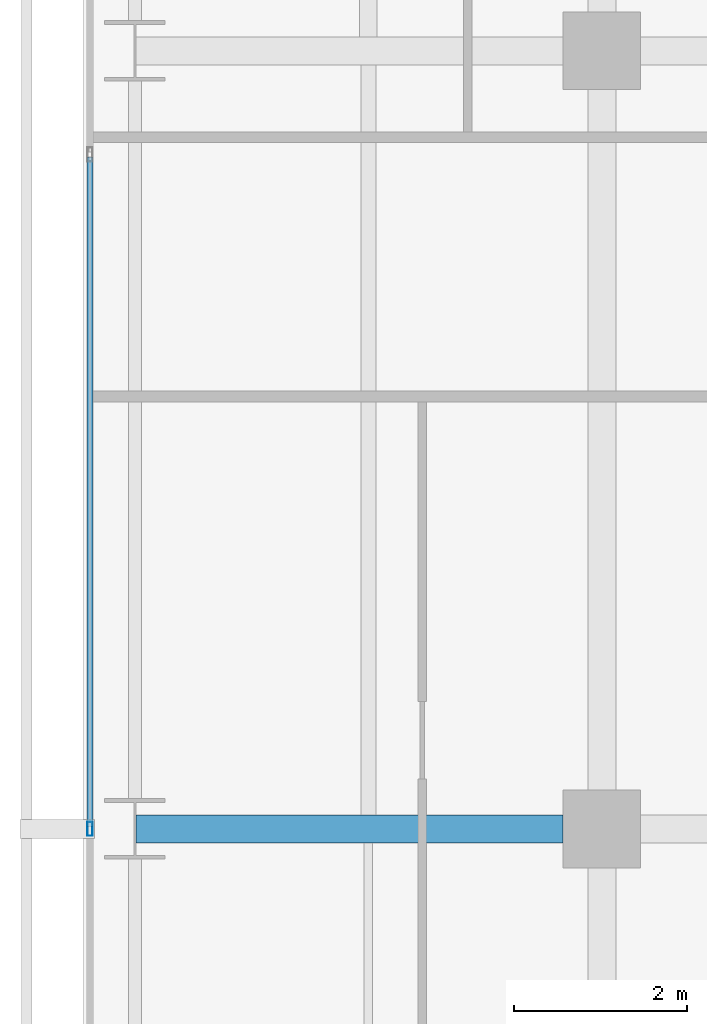
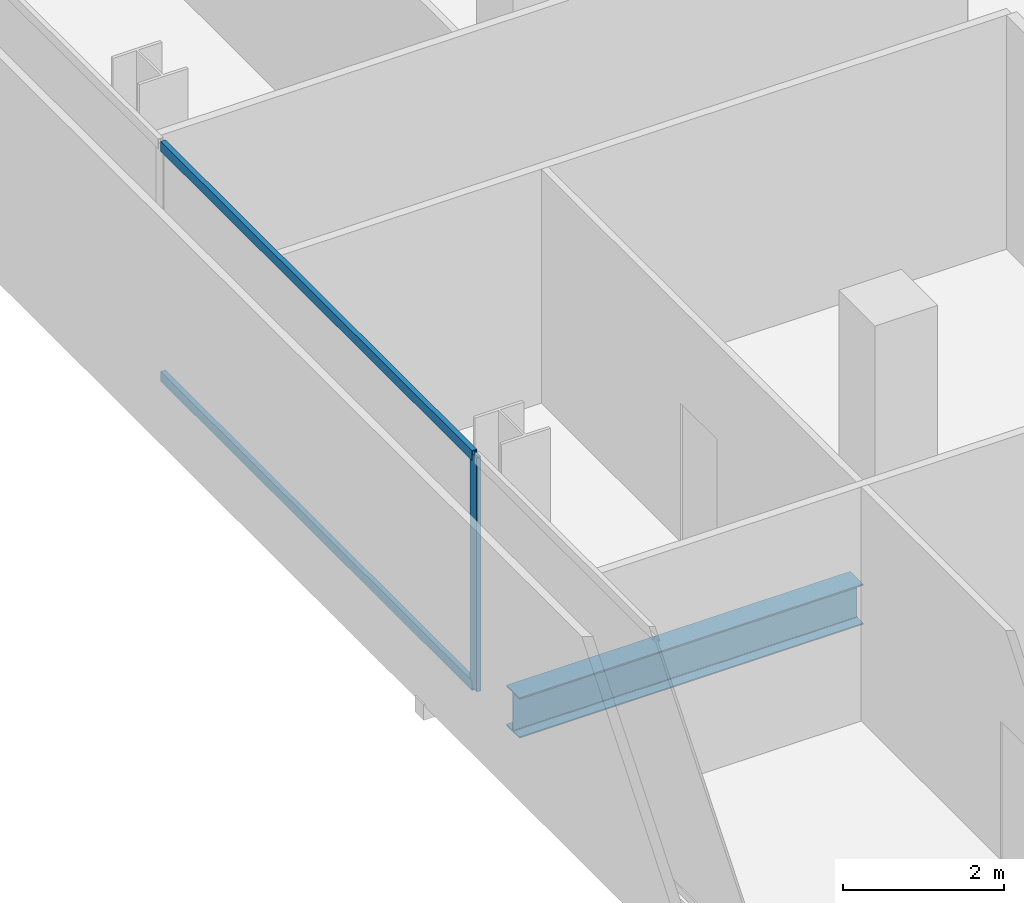
# One storey, part 12 of 39: 3 members, 1 beam, 1 element without a shape of its own.
"""IFC4 building model written with IfcOpenShell, lengths in metres."""

from ifc_helpers import new_model, si_unit, direction, frame, origin, origin_2d, place, context, subcontext, project, spatial, hollow_rectangle, i_section, extrude, material, layer, layer_set, material_profile, profile_set, type_object, element, aggregate, save


model = new_model("IFC4")

# Units and contexts
model_context = context("Model", 3, precision=1e-05, world=origin(), true_north=direction((0.0, 1.0)))
body_context = subcontext(model_context, "Body", "Model", "MODEL_VIEW")
ifc_project = project(units=[si_unit("LENGTHUNIT", "METRE"), si_unit("AREAUNIT", "SQUARE_METRE"), si_unit("VOLUMEUNIT", "CUBIC_METRE"), si_unit("PLANEANGLEUNIT", "RADIAN"), si_unit("MASSUNIT", "GRAM", prefix="KILO")], contexts=[model_context])

# Site, building, storey
site_placement = place(None, origin())
site = spatial("IfcSite", under=ifc_project, at=site_placement, CompositionType="ELEMENT")
building_placement = place(site_placement, origin())
building = spatial("IfcBuilding", under=site, at=building_placement, Name="Maruvema Waterfront Hotel and Observation Tower", CompositionType="ELEMENT")
storey_placement = place(building_placement, frame((0.0, 0.0, 111.64990234375)))
storey = spatial("IfcBuildingStorey", under=building, at=storey_placement, Name="L27", CompositionType="ELEMENT", Elevation=111.64990234375)

# Curtain wall, members
ifc_material_1 = material(Name="Anodised bronze aluminium and solar-control low-E IGU", Category="aluminium")
ifc_layer = layer(ifc_material_1, 0.159912109375, Name="Zone 1 Bronze Inner Thermal Curtain Wall System CW-02")
ifc_layer_set = layer_set([ifc_layer], Name="Anodised bronze aluminium and solar-control low-E IGU")
curtain_wall_type = type_object("IfcCurtainWallType", Name="Zone 1 Bronze Inner Thermal Curtain Wall System CW-02", PredefinedType="USERDEFINED", material=ifc_layer_set)
curtain_wall_placement = place(storey_placement, origin())
curtain_wall = element("IfcCurtainWall", 1, at=curtain_wall_placement, inside=storey, type_object=curtain_wall_type, Name="L27 Curtain Wall CW-L27-W", ObjectType="UNITISED CURTAIN WALL", PredefinedType="USERDEFINED")
ifc_material_2 = material(Name="Anodised architectural bronze aluminium", Category="aluminium")
ifc_material_profile_1 = material_profile(ifc_material_2, hollow_rectangle(XDim=0.070068359375, YDim=0.14990234375, WallThickness=0.00390625, at=origin_2d()), Name="ALU-T70x150")
ifc_profile_set_1 = profile_set([ifc_material_profile_1], Name="Anodised architectural bronze aluminium")
member_type_1 = type_object("IfcMemberType", Name="Curtain Wall Horizontal Transom ALU-T70x150", PredefinedType="USERDEFINED", material=ifc_profile_set_1)
member_1_placement = place(storey_placement, frame((10.8798828125, 34.77001953125, 0.030029296875), z_axis=(0.0, -1.0, 0.0), x_axis=(1.0, 0.0, 0.0)))
member_1 = element("IfcMember", 2, at=member_1_placement, type_object=member_type_1, Name="CW-02 transom 3.1", ObjectType="TRANSOM", PredefinedType="USERDEFINED", context=body_context, shape_type="SweptSolid", body=[
    extrude(hollow_rectangle(XDim=0.070068359375, YDim=0.14990234375, WallThickness=0.00390625, at=origin_2d()), origin(), (0.0, 0.0, 1.0), 7.739990234375),
])
member_2_placement = place(storey_placement, frame((10.8798828125, 34.77001953125, 3.52001953125), z_axis=(0.0, -1.0, 0.0), x_axis=(1.0, 0.0, 0.0)))
member_2 = element("IfcMember", 3, at=member_2_placement, type_object=member_type_1, Name="CW-02 transom 3.2", ObjectType="TRANSOM", PredefinedType="USERDEFINED", context=body_context, shape_type="SweptSolid", body=[
    extrude(hollow_rectangle(XDim=0.070068359375, YDim=0.14990234375, WallThickness=0.00390625, at=origin_2d()), origin(), (0.0, 0.0, 1.0), 7.739990234375),
])
ifc_material_3 = material(Name="Anodised architectural bronze aluminium", Category="aluminium")
ifc_material_profile_2 = material_profile(ifc_material_3, hollow_rectangle(XDim=0.06494140625, YDim=0.1650390625, WallThickness=0.00390625, at=origin_2d()), Name="ALU-M65x165")
ifc_profile_set_2 = profile_set([ifc_material_profile_2], Name="Anodised architectural bronze aluminium")
member_type_2 = type_object("IfcMemberType", Name="Curtain Wall Primary Mullion ALU-M65x165", PredefinedType="MULLION", material=ifc_profile_set_2)
member_3_placement = place(storey_placement, frame((10.8798828125, 27.0, 0.0), z_axis=(0.0, 0.0, 1.0), x_axis=(1.0, 0.0, 0.0)))
member_3 = element("IfcMember", 4, at=member_3_placement, type_object=member_type_2, Name="CW-02 mullion 4", PredefinedType="MULLION", context=body_context, shape_type="SweptSolid", body=[
    extrude(hollow_rectangle(XDim=0.06494140625, YDim=0.1650390625, WallThickness=0.00390625, at=origin_2d()), origin(), (0.0, 0.0, 1.0), 3.550048828125),
])
aggregate(curtain_wall, [member_3, member_1, member_2])

# Beam
ifc_material_4 = material(Name="Steel ASTM A572 Grade 50", Category="steel")
ifc_material_profile_3 = material_profile(ifc_material_4, i_section(OverallWidth=0.323974609375, OverallDepth=0.611083984375, WebThickness=0.0126953125, FlangeThickness=0.01904296875, FilletRadius=0.01806640625, at=origin_2d()), Name="W610x155.0")
ifc_profile_set_3 = profile_set([ifc_material_profile_3], Name="Steel ASTM A572 Grade 50")
beam_type = type_object("IfcBeamType", Name="Primary Floor Girder W610x155.0", PredefinedType="BEAM", material=ifc_profile_set_3)
beam_placement = place(storey_placement, frame((11.4140625, 27.0, -0.54541015625), z_axis=(1.0, 0.0, 0.0), x_axis=(0.0, 1.0, 0.0)))
element("IfcBeam", 5, at=beam_placement, inside=storey, type_object=beam_type, Name="L27 Floor Girder EW-20", PredefinedType="BEAM", context=body_context, shape_type="SweptSolid", body=[
    extrude(i_section(OverallWidth=0.323974609375, OverallDepth=0.611083984375, WebThickness=0.0126953125, FlangeThickness=0.01904296875, FilletRadius=0.01806640625, at=origin_2d()), origin(), (0.0, 0.0, 1.0), 4.93603515625),
])

save(model, "model.ifc")
